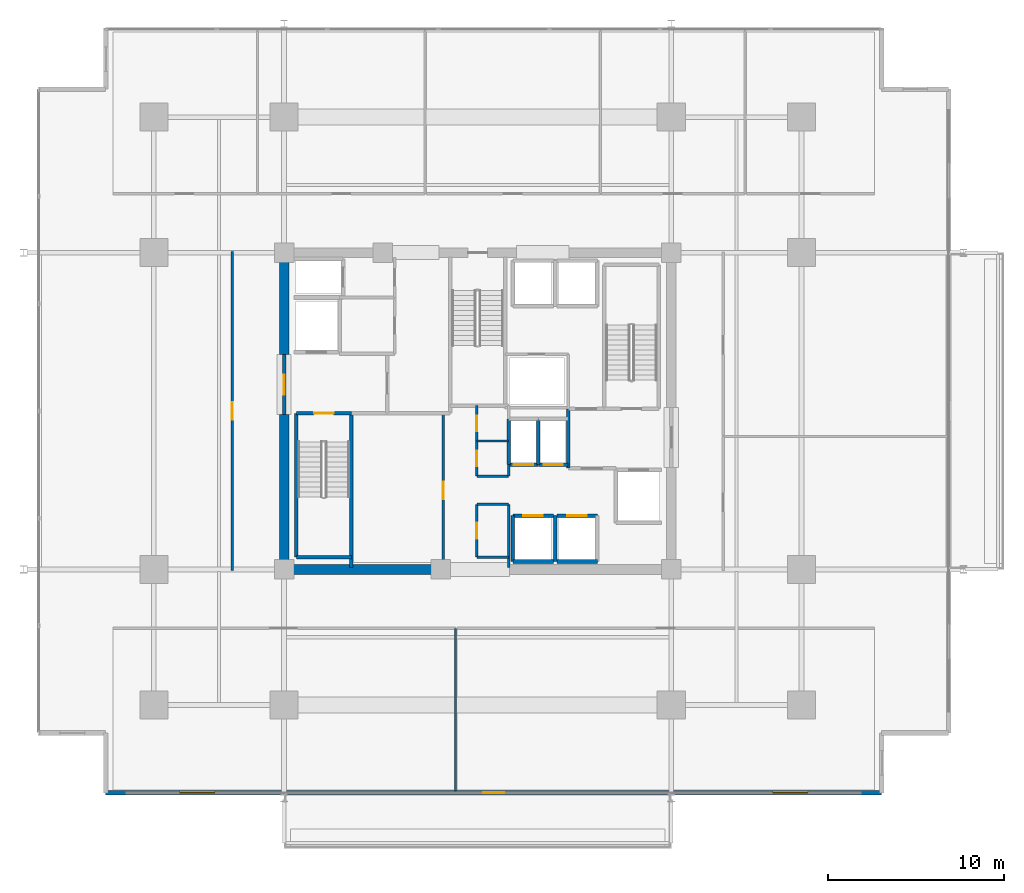
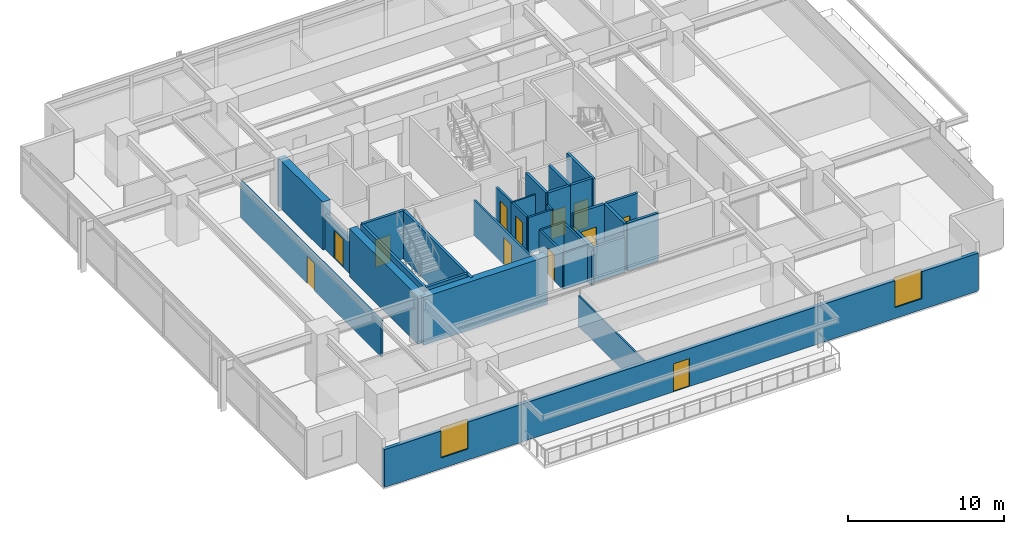
# One storey, part 13 of 21: 32 walls, 12 doors, 2 windows, 14 openings.
"""IFC4 building model written with IfcOpenShell, lengths in metres."""

import ifcopenshell
import ifcopenshell.guid

model = None  # the IFC model being written
_history = None  # IfcOwnerHistory: only IFC2X3 demands one
_inside = {}  # id of a spatial element -> (the spatial element, [elements in it])
_under = {}  # id of a project, library or spatial element -> (it, [spatial elements below it])
_declared = {}  # id of a project -> (the project, [libraries it declares])
_typed = {}  # id of a type object -> (the type object, [elements of that type])
_made_of = {}  # id of a material, layer set ... -> (it, [elements and type objects made of it])


def new_model(schema):
    """Start an empty IFC model of exactly this schema.

    Asked for "IFC4X3", IfcOpenShell would pick the latest addendum, in which some entities
    have other attributes; the version numbers below select the first issue.
    IFC2X3 requires an IfcOwnerHistory on every rooted entity: one is made here for all.
    """
    global model, _history
    if schema == "IFC4X3":
        model = ifcopenshell.file(schema_version=(4, 3, 0, 0))
    else:
        model = ifcopenshell.file(schema=schema)
    _inside.clear()
    _under.clear()
    _declared.clear()
    _typed.clear()
    _made_of.clear()
    _history = None
    if model.schema == "IFC2X3":
        org = make("IfcOrganization", Name="unknown")
        user = make(
            "IfcPersonAndOrganization",
            ThePerson=make("IfcPerson", FamilyName="unknown"),
            TheOrganization=org,
        )
        app = make(
            "IfcApplication",
            ApplicationDeveloper=org,
            Version="unknown",
            ApplicationFullName="unknown",
            ApplicationIdentifier="unknown",
        )
        _history = make(
            "IfcOwnerHistory",
            OwningUser=user,
            OwningApplication=app,
            ChangeAction="ADDED",
            CreationDate=0,
        )
    return model


def make(cls, **values):
    """One entity of the class cls with the attributes given. An attribute that is None is left unset."""
    return model.create_entity(
        cls, **{name: value for name, value in values.items() if value is not None}
    )


def rooted(cls, **values):
    """An entity with a GlobalId (a new one), such as an element, a storey or a relation."""
    return make(cls, GlobalId=ifcopenshell.guid.new(), OwnerHistory=_history, **values)


def si_unit(unit_type, name, prefix=None):
    """IfcSIUnit, for example si_unit("LENGTHUNIT", "METRE", prefix="MILLI")."""
    return make("IfcSIUnit", UnitType=unit_type, Prefix=prefix, Name=name)


def assignment(units):
    """IfcUnitAssignment: the units of a project."""
    return None if units is None else make("IfcUnitAssignment", Units=units)


def point(xyz):
    """IfcCartesianPoint."""
    return None if xyz is None else make("IfcCartesianPoint", Coordinates=xyz)


def direction(xyz):
    """IfcDirection."""
    return None if xyz is None else make("IfcDirection", DirectionRatios=xyz)


def frame(location, z_axis=None, x_axis=None):
    """IfcAxis2Placement3D, a coordinate frame: its origin and axes. An axis left out is left unset."""
    return make(
        "IfcAxis2Placement3D",
        Location=point(location),
        Axis=direction(z_axis),
        RefDirection=direction(x_axis),
    )


def frame_2d(location, x_axis=None):
    """IfcAxis2Placement2D, a coordinate frame in the plane: its origin and x axis."""
    return make(
        "IfcAxis2Placement2D", Location=point(location), RefDirection=direction(x_axis)
    )


def origin():
    """The frame at (0, 0, 0) with its axes left unset."""
    return frame((0.0, 0.0, 0.0))


def place(relative_to, where):
    """IfcLocalPlacement: puts the frame where relative to a parent placement (None: the world)."""
    return make(
        "IfcLocalPlacement", PlacementRelTo=relative_to, RelativePlacement=where
    )


def context(
    kind, dimensions, precision=None, world=None, true_north=None, identifier=None
):
    """IfcGeometricRepresentationContext, for example the 3D "Model" context."""
    return make(
        "IfcGeometricRepresentationContext",
        ContextIdentifier=identifier,
        ContextType=kind,
        CoordinateSpaceDimension=dimensions,
        Precision=precision,
        WorldCoordinateSystem=world,
        TrueNorth=true_north,
    )


def subcontext(parent, identifier, kind, view, scale=None):
    """IfcGeometricRepresentationSubContext, for example "Body" below "Model"."""
    return make(
        "IfcGeometricRepresentationSubContext",
        ContextIdentifier=identifier,
        ContextType=kind,
        ParentContext=parent,
        TargetScale=scale,
        TargetView=view,
    )


def project(units=None, contexts=None):
    """IfcProject with its units and contexts."""
    return rooted(
        "IfcProject",
        Name="project",
        RepresentationContexts=contexts,
        UnitsInContext=assignment(units),
    )


def spatial(cls, under=None, at=None, **own):
    """A site, building, storey or space (cls), placed at a placement, below another one or the project."""
    s = rooted(cls, ObjectPlacement=at, **own)
    if under is not None:
        _under.setdefault(under.id(), (under, []))[1].append(s)
    return s


def profile(cls, at=None, kind="AREA", **sizes):
    """A parametric profile (cls). Its sizes go by their IFC names, for example OverallWidth=200.0."""
    return make(cls, ProfileType=kind, Position=at, **sizes)


def rectangle(**sizes):
    """IfcRectangleProfileDef."""
    return profile("IfcRectangleProfileDef", **sizes)


def extrude(swept, where, along, depth):
    """IfcExtrudedAreaSolid: the profile swept, set in the frame where, extruded along a direction by depth."""
    return make(
        "IfcExtrudedAreaSolid",
        SweptArea=swept,
        Position=where,
        ExtrudedDirection=direction(along),
        Depth=depth,
    )


def shape(context_of_items, identifier, shape_type, items):
    """IfcShapeRepresentation: the items that make up one representation, for example the "Body"."""
    return make(
        "IfcShapeRepresentation",
        ContextOfItems=context_of_items,
        RepresentationIdentifier=identifier,
        RepresentationType=shape_type,
        Items=items,
    )


def material(Name=None, Category=None):
    """IfcMaterial."""
    return make("IfcMaterial", Name=Name, Category=Category)


def layer(
    of_material, thickness, ventilated=None, Name=None, Category=None, Priority=None
):
    """IfcMaterialLayer: one layer of a wall or slab, of a material (None: an air gap)."""
    return make(
        "IfcMaterialLayer",
        Material=of_material,
        LayerThickness=thickness,
        IsVentilated=ventilated,
        Name=Name,
        Category=Category,
        Priority=Priority,
    )


def layer_set(layers, Name=None):
    """IfcMaterialLayerSet."""
    return make("IfcMaterialLayerSet", MaterialLayers=layers, LayerSetName=Name)


def made_of(thing, what):
    """Note that an element or type object is made of a material, layer set ...; save() writes the relation."""
    if what is not None:
        _made_of.setdefault(what.id(), (what, []))[1].append(thing)
    return thing


def type_object(cls, material=None, **own):
    """A type object (cls), such as IfcWallType, which elements share."""
    return made_of(rooted(cls, **own), material)


def element(
    cls,
    number,
    at=None,
    inside=None,
    cuts=None,
    type_object=None,
    material=None,
    context=None,
    identifier="Body",
    shape_type=None,
    held_by="IfcProductDefinitionShape",
    body=None,
    shapes=None,
    **own,
):
    """One element of the class cls, such as IfcWall. Its Tag is "e" and its number.

    at: its placement. inside: the storey or other place that contains it. cuts: it is an
    opening in that element (IfcRelVoidsElement). A single representation is given by context,
    identifier, shape_type and body (its items); several are given by shapes. held_by: the class
    of the entity that holds the representations. save() writes the other relations.
    """
    e = rooted(cls, Tag="e%d" % number, ObjectPlacement=at, **own)
    if body is not None:
        shapes = [shape(context, identifier, shape_type, body)]
    if shapes is not None:
        e.Representation = make(held_by, Representations=shapes)
    if inside is not None:
        _inside.setdefault(inside.id(), (inside, []))[1].append(e)
    if cuts is not None:
        rooted(
            "IfcRelVoidsElement", RelatingBuildingElement=cuts, RelatedOpeningElement=e
        )
    if type_object is not None:
        _typed.setdefault(type_object.id(), (type_object, []))[1].append(e)
    return made_of(e, material)


def fill(opening, filler):
    """IfcRelFillsElement: the door or window that sits in an opening."""
    return rooted(
        "IfcRelFillsElement",
        RelatingOpeningElement=opening,
        RelatedBuildingElement=filler,
    )


def aggregate(whole, parts):
    """IfcRelAggregates: a whole, such as a stair, and the parts it consists of."""
    return rooted("IfcRelAggregates", RelatingObject=whole, RelatedObjects=parts)


def save(model, path):
    """Write the relations noted so far, then the file.

    IfcRelAggregates (storeys below a building ...), IfcRelContainedInSpatialStructure (elements
    in a storey), IfcRelDefinesByType, IfcRelAssociatesMaterial and IfcRelDeclares: one each for
    every whole, place, type object, material and project.
    """
    for whole, parts in _under.values():
        aggregate(whole, parts)
    for where, things in _inside.values():
        rooted(
            "IfcRelContainedInSpatialStructure",
            RelatedElements=things,
            RelatingStructure=where,
        )
    for kind, things in _typed.values():
        rooted("IfcRelDefinesByType", RelatedObjects=things, RelatingType=kind)
    for what, things in _made_of.values():
        rooted("IfcRelAssociatesMaterial", RelatedObjects=things, RelatingMaterial=what)
    for by, libraries in _declared.values():
        rooted("IfcRelDeclares", RelatingContext=by, RelatedDefinitions=libraries)
    model.write(path)


model = new_model("IFC4")

# Units and contexts
model_context = context("Model", 3, precision=1e-05, world=origin(), true_north=direction((0.0, 1.0)))
body_context = subcontext(model_context, "Body", "Model", "MODEL_VIEW")
ifc_project = project(units=[si_unit("LENGTHUNIT", "METRE"), si_unit("AREAUNIT", "SQUARE_METRE"), si_unit("VOLUMEUNIT", "CUBIC_METRE"), si_unit("PLANEANGLEUNIT", "RADIAN"), si_unit("MASSUNIT", "GRAM", prefix="KILO")], contexts=[model_context])

# Site, building, storey
site_placement = place(None, origin())
site = spatial("IfcSite", under=ifc_project, at=site_placement, CompositionType="ELEMENT")
building_placement = place(site_placement, origin())
building = spatial("IfcBuilding", under=site, at=building_placement, Name="Kovane Verandah Tower", CompositionType="ELEMENT")
storey_placement = place(building_placement, frame((0.0, 0.0, 176.39990234375)))
storey = spatial("IfcBuildingStorey", under=building, at=storey_placement, Name="L41", CompositionType="ELEMENT", Elevation=176.39990234375)

# Walls
ifc_material_1 = material(Name="Fire-Rated Gypsum Stud Partition", Category="gypsum")
ifc_layer_1 = layer(ifc_material_1, 0.14990234375)
ifc_layer_set_1 = layer_set([ifc_layer_1], Name="Fire-Rated Gypsum Stud Partition")
wall_type_1 = type_object("IfcWallType", Name="WL-COR-150", PredefinedType="PARTITIONING", material=ifc_layer_set_1)
for number, where, z_axis, x_axis, name in (
    (1, (39.949951171875, 19.199951171875, 0.0), (0.0, 0.0, 1.0), (1.0, 0.0, 0.0), "L41 Central Core Strip South Wall"),
    (2, (39.949951171875, 22.199951171875, 0.0), (0.0, 0.0, 1.0), (1.0, 0.0, 0.0), "L41 Core Cross-Passage South Wall"),
    (3, (39.949951171875, 23.800048828125, 0.0), (0.0, 0.0, 1.0), (1.0, 0.0, 0.0), "L41 Core Cross-Passage North Wall"),
):
    element("IfcWall", number, at=place(storey_placement, frame(where, z_axis=z_axis, x_axis=x_axis)), inside=storey, type_object=wall_type_1, Name=name, PredefinedType="PARTITIONING", context=body_context, shape_type="SweptSolid", body=[
        extrude(rectangle(XDim=1.81005859375, YDim=0.14990234375, at=frame_2d((0.905029296875, 0.0))), origin(), (0.0, 0.0, 1.0), 2.85009765625),
    ])
wall_1_placement = place(storey_placement, frame((41.760009765625, 18.60009765625, 0.0), z_axis=(0.0, 0.0, 1.0), x_axis=(0.0, 1.0, 0.0)))
element("IfcWall", 4, at=wall_1_placement, inside=storey, type_object=wall_type_1, Name="L41 Central Core Strip Lower East Wall", PredefinedType="PARTITIONING", context=body_context, shape_type="SweptSolid", body=[
    extrude(rectangle(XDim=3.599853515625, YDim=0.14990234375, at=frame_2d((1.7998046875, 0.0))), origin(), (0.0, 0.0, 1.0), 2.755126953125),
])
wall_2_placement = place(storey_placement, frame((41.760009765625, 23.800048828125, 0.0), z_axis=(0.0, 0.0, 1.0), x_axis=(0.0, 1.0, 0.0)))
element("IfcWall", 5, at=wall_2_placement, inside=storey, type_object=wall_type_1, Name="L41 Central Core Strip Middle East Wall", PredefinedType="PARTITIONING", context=body_context, shape_type="SweptSolid", body=[
    extrude(rectangle(XDim=0.64990234375, YDim=0.14990234375, at=frame_2d((0.324951171875, 0.0))), origin(), (0.0, 0.0, 1.0), 2.85009765625),
])

# Wall, opening, door
wall_3_placement = place(storey_placement, frame((39.949951171875, 19.199951171875, 0.0), z_axis=(0.0, 0.0, 1.0), x_axis=(0.0, 1.0, 0.0)))
wall_3 = element("IfcWall", 6, at=wall_3_placement, inside=storey, type_object=wall_type_1, Name="L41 Male Toilet Partition", PredefinedType="PARTITIONING", context=body_context, shape_type="SweptSolid", body=[
    extrude(rectangle(XDim=3.0, YDim=0.14990234375, at=frame_2d((1.5, 0.0))), origin(), (0.0, 0.0, 1.0), 2.85009765625),
])
opening_1_placement = place(wall_3_placement, frame((1.050048828125, 0.0, 0.0)))
opening_1 = element("IfcOpeningElement", 7, at=opening_1_placement, cuts=wall_3, Name="Opening DR-L41-026", PredefinedType="OPENING", context=body_context, shape_type="SweptSolid", body=[
    extrude(rectangle(XDim=0.89990234375, YDim=2.10009765625, at=frame_2d((0.449951171875, 1.050048828125))), frame((0.0, 0.074951171875, 0.0), z_axis=(0.0, -1.0, 0.0), x_axis=(1.0, 0.0, 0.0)), (0.0, 0.0, 1.0), 0.14990234375),
])
ifc_material_2 = material(Name="Moisture-Resistant Laminate Washroom Door", Category="wood")
door_type_1 = type_object("IfcDoorType", Name="DR-WC-900", OperationType="SINGLE_SWING_LEFT", PredefinedType="DOOR", material=ifc_material_2)
door_1_placement = place(opening_1_placement, origin())
door_1 = element("IfcDoor", 8, at=door_1_placement, inside=storey, type_object=door_type_1, Name="L41 Male Toilet Door", OperationType="SINGLE_SWING_RIGHT", OverallHeight=2.10009765625, OverallWidth=0.89990234375, PredefinedType="DOOR", context=body_context, shape_type="SweptSolid", body=[
    extrude(rectangle(XDim=0.89990234375, YDim=2.10009765625, at=frame_2d((0.449951171875, 1.050048828125))), frame((0.0, 0.02490234375, 0.0), z_axis=(0.0, -1.0, 0.0), x_axis=(1.0, 0.0, 0.0)), (0.0, 0.0, 1.0), 0.050048828125),
])
fill(opening_1, door_1)

wall_4_placement = place(storey_placement, frame((39.949951171875, 23.800048828125, 0.0), z_axis=(0.0, 0.0, 1.0), x_axis=(0.0, 1.0, 0.0)))
wall_4 = element("IfcWall", 9, at=wall_4_placement, inside=storey, type_object=wall_type_1, Name="L41 Female Toilet Partition", PredefinedType="PARTITIONING", context=body_context, shape_type="SweptSolid", body=[
    extrude(rectangle(XDim=2.0, YDim=0.14990234375, at=frame_2d((1.0, 0.0))), origin(), (0.0, 0.0, 1.0), 2.85009765625),
])
opening_2_placement = place(wall_4_placement, frame((0.550048828125, 0.0, 0.0)))
opening_2 = element("IfcOpeningElement", 10, at=opening_2_placement, cuts=wall_4, Name="Opening DR-L41-025", PredefinedType="OPENING", context=body_context, shape_type="SweptSolid", body=[
    extrude(rectangle(XDim=0.89990234375, YDim=2.10009765625, at=frame_2d((0.449951171875, 1.050048828125))), frame((0.0, 0.074951171875, 0.0), z_axis=(0.0, -1.0, 0.0), x_axis=(1.0, 0.0, 0.0)), (0.0, 0.0, 1.0), 0.14990234375),
])
door_2_placement = place(opening_2_placement, origin())
door_2 = element("IfcDoor", 11, at=door_2_placement, inside=storey, type_object=door_type_1, Name="L41 Female Toilet Door", OperationType="SINGLE_SWING_LEFT", OverallHeight=2.10009765625, OverallWidth=0.89990234375, PredefinedType="DOOR", context=body_context, shape_type="SweptSolid", body=[
    extrude(rectangle(XDim=0.89990234375, YDim=2.10009765625, at=frame_2d((0.449951171875, 1.050048828125))), frame((0.0, 0.02490234375, 0.0), z_axis=(0.0, -1.0, 0.0), x_axis=(1.0, 0.0, 0.0)), (0.0, 0.0, 1.0), 0.050048828125),
])
fill(opening_2, door_2)

wall_5_placement = place(storey_placement, frame((39.949951171875, 25.800048828125, 0.0), z_axis=(0.0, 0.0, 1.0), x_axis=(0.0, 1.0, 0.0)))
wall_5 = element("IfcWall", 12, at=wall_5_placement, inside=storey, type_object=wall_type_1, Name="L41 Telecom and BMS Riser Room Partition", PredefinedType="PARTITIONING", context=body_context, shape_type="SweptSolid", body=[
    extrude(rectangle(XDim=2.0, YDim=0.14990234375, at=frame_2d((1.0, 0.0))), origin(), (0.0, 0.0, 1.0), 2.85009765625),
])
opening_3_placement = place(wall_5_placement, frame((0.56005859375, 0.0, 0.0)))
opening_3 = element("IfcOpeningElement", 13, at=opening_3_placement, cuts=wall_5, Name="Opening DR-L41-023", PredefinedType="OPENING", context=body_context, shape_type="SweptSolid", body=[
    extrude(rectangle(XDim=0.8798828125, YDim=2.10009765625, at=frame_2d((0.43994140625, 1.050048828125))), frame((0.0, 0.074951171875, 0.0), z_axis=(0.0, -1.0, 0.0), x_axis=(1.0, 0.0, 0.0)), (0.0, 0.0, 1.0), 0.14990234375),
])
ifc_material_3 = material(Name="Fire-Rated Steel Riser Access Door", Category="steel")
door_type_2 = type_object("IfcDoorType", Name="DR-RISER-880", OperationType="SINGLE_SWING_LEFT", PredefinedType="DOOR", material=ifc_material_3)
door_3_placement = place(opening_3_placement, origin())
door_3 = element("IfcDoor", 14, at=door_3_placement, inside=storey, type_object=door_type_2, Name="L41 Telecom and BMS Riser Room Door", OperationType="SINGLE_SWING_RIGHT", OverallHeight=2.10009765625, OverallWidth=0.8798828125, PredefinedType="DOOR", context=body_context, shape_type="SweptSolid", body=[
    extrude(rectangle(XDim=0.8798828125, YDim=2.10009765625, at=frame_2d((0.43994140625, 1.050048828125))), frame((0.0, 0.02490234375, 0.0), z_axis=(0.0, -1.0, 0.0), x_axis=(1.0, 0.0, 0.0)), (0.0, 0.0, 1.0), 0.050048828125),
])
fill(opening_3, door_3)

wall_6_placement = place(storey_placement, frame((38.050048828125, 18.60009765625, 0.0), z_axis=(0.0, 0.0, 1.0), x_axis=(0.0, 1.0, 0.0)))
wall_6 = element("IfcWall", 15, at=wall_6_placement, inside=storey, type_object=wall_type_1, Name="L41 Tenant Wellness and Archive Suite Partition", PredefinedType="PARTITIONING", context=body_context, shape_type="SweptSolid", body=[
    extrude(rectangle(XDim=8.77978515625, YDim=0.14990234375, at=frame_2d((4.389892578125, 0.0))), origin(), (0.0, 0.0, 1.0), 2.755126953125),
])
opening_4_placement = place(wall_6_placement, frame((3.889892578125, 0.0, 0.0)))
opening_4 = element("IfcOpeningElement", 16, at=opening_4_placement, cuts=wall_6, Name="Opening DR-L41-014", PredefinedType="OPENING", context=body_context, shape_type="SweptSolid", body=[
    extrude(rectangle(XDim=1.0, YDim=2.14990234375, at=frame_2d((0.5, 1.074951171875))), frame((0.0, 0.074951171875, 0.0), z_axis=(0.0, -1.0, 0.0), x_axis=(1.0, 0.0, 0.0)), (0.0, 0.0, 1.0), 0.14990234375),
])
ifc_material_4 = material(Name="FSC Spotted-Gum Timber Fire-Rated Office Door", Category="wood")
door_type_3 = type_object("IfcDoorType", Name="DR-OFF-1000", OperationType="SINGLE_SWING_LEFT", PredefinedType="DOOR", material=ifc_material_4)
door_4_placement = place(opening_4_placement, origin())
door_4 = element("IfcDoor", 17, at=door_4_placement, inside=storey, type_object=door_type_3, Name="L41 Tenant Wellness and Archive Suite Door", OperationType="SINGLE_SWING_LEFT", OverallHeight=2.14990234375, OverallWidth=1.0, PredefinedType="DOOR", context=body_context, shape_type="SweptSolid", body=[
    extrude(rectangle(XDim=1.0, YDim=2.14990234375, at=frame_2d((0.5, 1.074951171875))), frame((0.0, 0.02490234375, 0.0), z_axis=(0.0, -1.0, 0.0), x_axis=(1.0, 0.0, 0.0)), (0.0, 0.0, 1.0), 0.050048828125),
])
fill(opening_4, door_4)

wall_7_placement = place(storey_placement, frame((26.050048828125, 18.449951171875, 0.0), z_axis=(0.0, 0.0, 1.0), x_axis=(0.0, 1.0, 0.0)))
wall_7 = element("IfcWall", 18, at=wall_7_placement, inside=storey, type_object=wall_type_1, Name="L41 Focus Studio W1 Corridor Partition", PredefinedType="PARTITIONING", context=body_context, shape_type="SweptSolid", body=[
    extrude(rectangle(XDim=18.10009765625, YDim=0.14990234375, at=frame_2d((9.050048828125, 0.0))), origin(), (0.0, 0.0, 1.0), 2.85009765625),
])
opening_5_placement = place(wall_7_placement, frame((8.550048828125, 0.0, 0.0)))
opening_5 = element("IfcOpeningElement", 19, at=opening_5_placement, cuts=wall_7, Name="Opening DR-L41-027", PredefinedType="OPENING", context=body_context, shape_type="SweptSolid", body=[
    extrude(rectangle(XDim=1.0, YDim=2.14990234375, at=frame_2d((0.5, 1.074951171875))), frame((0.0, 0.074951171875, 0.0), z_axis=(0.0, -1.0, 0.0), x_axis=(1.0, 0.0, 0.0)), (0.0, 0.0, 1.0), 0.14990234375),
])
door_5_placement = place(opening_5_placement, origin())
door_5 = element("IfcDoor", 20, at=door_5_placement, inside=storey, type_object=door_type_3, Name="L41 Focus Studio W1 Entrance Door", OperationType="SINGLE_SWING_RIGHT", OverallHeight=2.14990234375, OverallWidth=1.0, PredefinedType="DOOR", context=body_context, shape_type="SweptSolid", body=[
    extrude(rectangle(XDim=1.0, YDim=2.14990234375, at=frame_2d((0.5, 1.074951171875))), frame((0.0, 0.02490234375, 0.0), z_axis=(0.0, -1.0, 0.0), x_axis=(1.0, 0.0, 0.0)), (0.0, 0.0, 1.0), 0.050048828125),
])
fill(opening_5, door_5)

# Walls
ifc_material_5 = material(Name="Concrete C60/75", Category="concrete")
ifc_layer_2 = layer(ifc_material_5, 0.550048828125)
ifc_layer_set_2 = layer_set([ifc_layer_2], Name="Concrete C60/75")
wall_type_2 = type_object("IfcWallType", Name="WL-CORE-550", PredefinedType="SHEAR", material=ifc_layer_set_2)
wall_8_placement = place(storey_placement, frame((29.0, 18.5, 0.0), z_axis=(0.0, 0.0, 1.0), x_axis=(1.0, 0.0, 0.0)))
element("IfcWall", 21, at=wall_8_placement, inside=storey, type_object=wall_type_2, Name="L41 Core Shear Wall CS-1", PredefinedType="SHEAR", context=body_context, shape_type="SweptSolid", body=[
    extrude(rectangle(XDim=9.199951171875, YDim=0.550048828125, at=frame_2d((4.60009765625, 0.0))), origin(), (0.0, 0.0, 1.0), 3.775146484375),
])
wall_9_placement = place(storey_placement, frame((29.0, 18.5, 0.0), z_axis=(0.0, 0.0, 1.0), x_axis=(0.0, 1.0, 0.0)))
element("IfcWall", 22, at=wall_9_placement, inside=storey, type_object=wall_type_2, Name="L41 Core Shear Wall CW-1", PredefinedType="SHEAR", context=body_context, shape_type="SweptSolid", body=[
    extrude(rectangle(XDim=8.800048828125, YDim=0.550048828125, at=frame_2d((4.39990234375, 0.0))), origin(), (0.0, 0.0, 1.0), 3.775146484375),
])
wall_10_placement = place(storey_placement, frame((29.0, 30.699951171875, 0.0), z_axis=(0.0, 0.0, 1.0), x_axis=(0.0, 1.0, 0.0)))
element("IfcWall", 23, at=wall_10_placement, inside=storey, type_object=wall_type_2, Name="L41 Core Shear Wall CW-2", PredefinedType="SHEAR", context=body_context, shape_type="SweptSolid", body=[
    extrude(rectangle(XDim=5.800048828125, YDim=0.550048828125, at=frame_2d((2.89990234375, 0.0))), origin(), (0.0, 0.0, 1.0), 3.775146484375),
])

# Wall, opening, door
ifc_material_6 = material(Name="Concrete C45/55 Fire Wall", Category="concrete")
ifc_layer_3 = layer(ifc_material_6, 0.199951171875)
ifc_layer_set_3 = layer_set([ifc_layer_3], Name="Concrete C45/55 Fire Wall")
wall_type_3 = type_object("IfcWallType", Name="WL-FFL-200", PredefinedType="PARTITIONING", material=ifc_layer_set_3)
wall_11_placement = place(storey_placement, frame((29.0, 27.300048828125, 0.0), z_axis=(0.0, 0.0, 1.0), x_axis=(0.0, 1.0, 0.0)))
wall_11 = element("IfcWall", 24, at=wall_11_placement, inside=storey, type_object=wall_type_3, Name="W-L41-FFLW-OUT", PredefinedType="PARTITIONING", context=body_context, shape_type="SweptSolid", body=[
    extrude(rectangle(XDim=3.39990234375, YDim=0.199951171875, at=frame_2d((1.699951171875, 0.0))), origin(), (0.0, 0.0, 1.0), 2.755126953125),
])
opening_6_placement = place(wall_11_placement, frame((1.125, 0.0, 0.0)))
opening_6 = element("IfcOpeningElement", 25, at=opening_6_placement, cuts=wall_11, Name="Opening DR-L41-007", PredefinedType="OPENING", context=body_context, shape_type="SweptSolid", body=[
    extrude(rectangle(XDim=1.14990234375, YDim=2.199951171875, at=frame_2d((0.574951171875, 1.10009765625))), frame((0.0, 0.10009765625, 0.0), z_axis=(0.0, -1.0, 0.0), x_axis=(1.0, 0.0, 0.0)), (0.0, 0.0, 1.0), 0.199951171875),
])
ifc_material_7 = material(Name="Smoke-Sealed Firefighting Lobby Door", Category="steel")
door_type_4 = type_object("IfcDoorType", Name="DR-FFL-1150", OperationType="SINGLE_SWING_LEFT", PredefinedType="DOOR", material=ifc_material_7)
door_6_placement = place(opening_6_placement, origin())
door_6 = element("IfcDoor", 26, at=door_6_placement, inside=storey, type_object=door_type_4, Name="L41 West Firefighting Lobby Corridor Door", OperationType="SINGLE_SWING_RIGHT", OverallHeight=2.199951171875, OverallWidth=1.14990234375, PredefinedType="DOOR", context=body_context, shape_type="SweptSolid", body=[
    extrude(rectangle(XDim=1.14990234375, YDim=2.199951171875, at=frame_2d((0.574951171875, 1.10009765625))), frame((0.0, 0.02490234375, 0.0), z_axis=(0.0, -1.0, 0.0), x_axis=(1.0, 0.0, 0.0)), (0.0, 0.0, 1.0), 0.050048828125),
])
fill(opening_6, door_6)

# Walls
wall_12_placement = place(storey_placement, frame((45.14990234375, 24.25, 0.0), z_axis=(0.0, 0.0, 1.0), x_axis=(0.0, 1.0, 0.0)))
element("IfcWall", 27, at=wall_12_placement, inside=storey, type_object=wall_type_3, Name="L41 East Firefighting Lobby West Fire Wall", PredefinedType="PARTITIONING", context=body_context, shape_type="SweptSolid", body=[
    extrude(rectangle(XDim=3.3701171875, YDim=0.199951171875, at=frame_2d((1.68505859375, 0.0))), origin(), (0.0, 0.0, 1.0), 3.775146484375),
])
ifc_material_8 = material(Name="Concrete C45/55 Lift Shaft Wall", Category="concrete")
ifc_layer_4 = layer(ifc_material_8, 0.199951171875)
ifc_layer_set_4 = layer_set([ifc_layer_4], Name="Concrete C45/55 Lift Shaft Wall")
wall_type_4 = type_object("IfcWallType", Name="WL-LIFT-200", PredefinedType="SOLIDWALL", material=ifc_layer_set_4)
wall_13_placement = place(storey_placement, frame((42.0, 18.949951171875, 0.0), z_axis=(0.0, 0.0, 1.0), x_axis=(1.0, 0.0, 0.0)))
element("IfcWall", 28, at=wall_13_placement, inside=storey, type_object=wall_type_4, Name="L41 Lift PL-M1 S Shaft Wall", PredefinedType="SOLIDWALL", context=body_context, shape_type="SweptSolid", body=[
    extrude(rectangle(XDim=2.300048828125, YDim=0.199951171875, at=frame_2d((1.14990234375, 0.0))), origin(), (0.0, 0.0, 1.0), 2.755126953125),
])

# Wall, opening, door
wall_14_placement = place(storey_placement, frame((44.300048828125, 21.550048828125, 0.0), z_axis=(0.0, 0.0, 1.0), x_axis=(-1.0, 0.0, 0.0)))
wall_14 = element("IfcWall", 29, at=wall_14_placement, inside=storey, type_object=wall_type_4, Name="L41 Lift PL-M1 N Shaft Wall", PredefinedType="SOLIDWALL", context=body_context, shape_type="SweptSolid", body=[
    extrude(rectangle(XDim=2.300048828125, YDim=0.199951171875, at=frame_2d((1.14990234375, 0.0))), origin(), (0.0, 0.0, 1.0), 3.775146484375),
])
opening_7_placement = place(wall_14_placement, frame((0.60009765625, 0.0, 0.0)))
opening_7 = element("IfcOpeningElement", 30, at=opening_7_placement, cuts=wall_14, Name="Opening LD-L41-004", PredefinedType="OPENING", context=body_context, shape_type="SweptSolid", body=[
    extrude(rectangle(XDim=1.10009765625, YDim=2.199951171875, at=frame_2d((0.550048828125, 1.10009765625))), frame((0.0, 0.10009765625, 0.0), z_axis=(0.0, -1.0, 0.0), x_axis=(1.0, 0.0, 0.0)), (0.0, 0.0, 1.0), 0.199951171875),
])
ifc_material_9 = material(Name="Brushed Stainless Steel Sliding Lift Landing Door", Category="steel")
door_type_5 = type_object("IfcDoorType", Name="DR-LIFT-1100", OperationType="SLIDING_TO_RIGHT", PredefinedType="DOOR", material=ifc_material_9)
door_7_placement = place(opening_7_placement, origin())
door_7 = element("IfcDoor", 31, at=door_7_placement, inside=storey, type_object=door_type_5, Name="L41 Lift PL-M1 Sliding Landing Door", OperationType="SLIDING_TO_RIGHT", OverallHeight=2.199951171875, OverallWidth=1.10009765625, PredefinedType="DOOR", context=body_context, shape_type="SweptSolid", body=[
    extrude(rectangle(XDim=1.10009765625, YDim=2.199951171875, at=frame_2d((0.550048828125, 1.10009765625))), frame((0.0, 0.02490234375, 0.0), z_axis=(0.0, -1.0, 0.0), x_axis=(1.0, 0.0, 0.0)), (0.0, 0.0, 1.0), 0.050048828125),
])
fill(opening_7, door_7)

# Walls
wall_15_placement = place(storey_placement, frame((42.0, 21.550048828125, 0.0), z_axis=(0.0, 0.0, 1.0), x_axis=(0.0, -1.0, 0.0)))
element("IfcWall", 32, at=wall_15_placement, inside=storey, type_object=wall_type_4, Name="L41 Lift PL-M1 W Shaft Wall", PredefinedType="SOLIDWALL", context=body_context, shape_type="SweptSolid", body=[
    extrude(rectangle(XDim=2.60009765625, YDim=0.199951171875, at=frame_2d((1.300048828125, 0.0))), origin(), (0.0, 0.0, 1.0), 2.755126953125),
])
wall_16_placement = place(storey_placement, frame((44.39990234375, 18.949951171875, 0.0), z_axis=(0.0, 0.0, 1.0), x_axis=(0.0, 1.0, 0.0)))
element("IfcWall", 33, at=wall_16_placement, inside=storey, type_object=wall_type_4, Name="L41 Lift PL-M1 and PL-M2 Shared Shaft Wall", PredefinedType="SOLIDWALL", context=body_context, shape_type="SweptSolid", body=[
    extrude(rectangle(XDim=2.60009765625, YDim=0.199951171875, at=frame_2d((1.300048828125, 0.0))), origin(), (0.0, 0.0, 1.0), 3.775146484375),
])
wall_17_placement = place(storey_placement, frame((44.5, 18.949951171875, 0.0), z_axis=(0.0, 0.0, 1.0), x_axis=(1.0, 0.0, 0.0)))
element("IfcWall", 34, at=wall_17_placement, inside=storey, type_object=wall_type_4, Name="L41 Lift PL-M2 S Shaft Wall", PredefinedType="SOLIDWALL", context=body_context, shape_type="SweptSolid", body=[
    extrude(rectangle(XDim=2.300048828125, YDim=0.199951171875, at=frame_2d((1.14990234375, 0.0))), origin(), (0.0, 0.0, 1.0), 3.775146484375),
])

# Wall, opening, door
wall_18_placement = place(storey_placement, frame((46.800048828125, 21.550048828125, 0.0), z_axis=(0.0, 0.0, 1.0), x_axis=(-1.0, 0.0, 0.0)))
wall_18 = element("IfcWall", 35, at=wall_18_placement, inside=storey, type_object=wall_type_4, Name="L41 Lift PL-M2 N Shaft Wall", PredefinedType="SOLIDWALL", context=body_context, shape_type="SweptSolid", body=[
    extrude(rectangle(XDim=2.300048828125, YDim=0.199951171875, at=frame_2d((1.14990234375, 0.0))), origin(), (0.0, 0.0, 1.0), 3.775146484375),
])
opening_8_placement = place(wall_18_placement, frame((0.60009765625, 0.0, 0.0)))
opening_8 = element("IfcOpeningElement", 36, at=opening_8_placement, cuts=wall_18, Name="Opening LD-L41-005", PredefinedType="OPENING", context=body_context, shape_type="SweptSolid", body=[
    extrude(rectangle(XDim=1.10009765625, YDim=2.199951171875, at=frame_2d((0.550048828125, 1.10009765625))), frame((0.0, 0.10009765625, 0.0), z_axis=(0.0, -1.0, 0.0), x_axis=(1.0, 0.0, 0.0)), (0.0, 0.0, 1.0), 0.199951171875),
])
door_8_placement = place(opening_8_placement, origin())
door_8 = element("IfcDoor", 37, at=door_8_placement, inside=storey, type_object=door_type_5, Name="L41 Lift PL-M2 Sliding Landing Door", OperationType="SLIDING_TO_RIGHT", OverallHeight=2.199951171875, OverallWidth=1.10009765625, PredefinedType="DOOR", context=body_context, shape_type="SweptSolid", body=[
    extrude(rectangle(XDim=1.10009765625, YDim=2.199951171875, at=frame_2d((0.550048828125, 1.10009765625))), frame((0.0, 0.02490234375, 0.0), z_axis=(0.0, -1.0, 0.0), x_axis=(1.0, 0.0, 0.0)), (0.0, 0.0, 1.0), 0.050048828125),
])
fill(opening_8, door_8)

wall_19_placement = place(storey_placement, frame((41.760009765625, 24.449951171875, 0.0), z_axis=(0.0, 0.0, 1.0), x_axis=(1.0, 0.0, 0.0)))
wall_19 = element("IfcWall", 38, at=wall_19_placement, inside=storey, type_object=wall_type_4, Name="L41 Lift PL-M3 S Shaft Wall", PredefinedType="SOLIDWALL", context=body_context, shape_type="SweptSolid", body=[
    extrude(rectangle(XDim=1.679931640625, YDim=0.199951171875, at=frame_2d((0.83984375, 0.0))), origin(), (0.0, 0.0, 1.0), 3.775146484375),
])
opening_9_placement = place(wall_19_placement, frame((0.2900390625, 0.0, 0.0)))
opening_9 = element("IfcOpeningElement", 39, at=opening_9_placement, cuts=wall_19, Name="Opening LD-L41-006", PredefinedType="OPENING", context=body_context, shape_type="SweptSolid", body=[
    extrude(rectangle(XDim=1.10009765625, YDim=2.199951171875, at=frame_2d((0.550048828125, 1.10009765625))), frame((0.0, 0.10009765625, 0.0), z_axis=(0.0, -1.0, 0.0), x_axis=(1.0, 0.0, 0.0)), (0.0, 0.0, 1.0), 0.199951171875),
])
door_9_placement = place(opening_9_placement, origin())
door_9 = element("IfcDoor", 40, at=door_9_placement, inside=storey, type_object=door_type_5, Name="L41 Lift PL-M3 Sliding Landing Door", OperationType="SLIDING_TO_RIGHT", OverallHeight=2.199951171875, OverallWidth=1.10009765625, PredefinedType="DOOR", context=body_context, shape_type="SweptSolid", body=[
    extrude(rectangle(XDim=1.10009765625, YDim=2.199951171875, at=frame_2d((0.550048828125, 1.10009765625))), frame((0.0, 0.02490234375, 0.0), z_axis=(0.0, -1.0, 0.0), x_axis=(1.0, 0.0, 0.0)), (0.0, 0.0, 1.0), 0.050048828125),
])
fill(opening_9, door_9)

# Walls
for number, where, z_axis, x_axis, name in (
    (41, (41.760009765625, 27.050048828125, 0.0), (0.0, 0.0, 1.0), (0.0, -1.0, 0.0), "L41 Lift PL-M3 W Shaft Wall"),
    (42, (43.449951171875, 24.449951171875, 0.0), (0.0, 0.0, 1.0), (0.0, 1.0, 0.0), "L41 Lift PL-M3 and PL-M4 Shared Shaft Wall"),
):
    element("IfcWall", number, at=place(storey_placement, frame(where, z_axis=z_axis, x_axis=x_axis)), inside=storey, type_object=wall_type_4, Name=name, PredefinedType="SOLIDWALL", context=body_context, shape_type="SweptSolid", body=[
        extrude(rectangle(XDim=2.60009765625, YDim=0.199951171875, at=frame_2d((1.300048828125, 0.0))), origin(), (0.0, 0.0, 1.0), 3.775146484375),
    ])

# Wall, opening, door
wall_20_placement = place(storey_placement, frame((43.4599609375, 24.449951171875, 0.0), z_axis=(0.0, 0.0, 1.0), x_axis=(1.0, 0.0, 0.0)))
wall_20 = element("IfcWall", 43, at=wall_20_placement, inside=storey, type_object=wall_type_4, Name="L41 Lift PL-M4 S Shaft Wall", PredefinedType="SOLIDWALL", context=body_context, shape_type="SweptSolid", body=[
    extrude(rectangle(XDim=1.66015625, YDim=0.199951171875, at=frame_2d((0.830078125, 0.0))), origin(), (0.0, 0.0, 1.0), 3.775146484375),
])
opening_10_placement = place(wall_20_placement, frame((0.280029296875, 0.0, 0.0)))
opening_10 = element("IfcOpeningElement", 44, at=opening_10_placement, cuts=wall_20, Name="Opening LD-L41-007", PredefinedType="OPENING", context=body_context, shape_type="SweptSolid", body=[
    extrude(rectangle(XDim=1.10009765625, YDim=2.199951171875, at=frame_2d((0.550048828125, 1.10009765625))), frame((0.0, 0.10009765625, 0.0), z_axis=(0.0, -1.0, 0.0), x_axis=(1.0, 0.0, 0.0)), (0.0, 0.0, 1.0), 0.199951171875),
])
door_10_placement = place(opening_10_placement, origin())
door_10 = element("IfcDoor", 45, at=door_10_placement, inside=storey, type_object=door_type_5, Name="L41 Lift PL-M4 Sliding Landing Door", OperationType="SLIDING_TO_RIGHT", OverallHeight=2.199951171875, OverallWidth=1.10009765625, PredefinedType="DOOR", context=body_context, shape_type="SweptSolid", body=[
    extrude(rectangle(XDim=1.10009765625, YDim=2.199951171875, at=frame_2d((0.550048828125, 1.10009765625))), frame((0.0, 0.02490234375, 0.0), z_axis=(0.0, -1.0, 0.0), x_axis=(1.0, 0.0, 0.0)), (0.0, 0.0, 1.0), 0.050048828125),
])
fill(opening_10, door_10)

# Walls
ifc_material_10 = material(Name="Acoustic Fire-Rated Gypsum Partition", Category="gypsum")
ifc_layer_5 = layer(ifc_material_10, 0.1201171875)
ifc_layer_set_5 = layer_set([ifc_layer_5], Name="Acoustic Fire-Rated Gypsum Partition")
wall_type_5 = type_object("IfcWallType", Name="WL-PART-120", PredefinedType="PARTITIONING", material=ifc_layer_set_5)
wall_21_placement = place(storey_placement, frame((39.949951171875, 25.800048828125, 0.0), z_axis=(0.0, 0.0, 1.0), x_axis=(1.0, 0.0, 0.0)))
element("IfcWall", 46, at=wall_21_placement, inside=storey, type_object=wall_type_5, Name="L41 Central Core Strip Upper Dividing Partition", PredefinedType="PARTITIONING", context=body_context, shape_type="SweptSolid", body=[
    extrude(rectangle(XDim=1.81005859375, YDim=0.1201171875, at=frame_2d((0.905029296875, 0.0))), origin(), (0.0, 0.0, 1.0), 2.85009765625),
])
wall_22_placement = place(storey_placement, frame((38.745361328125, 5.905029296875, 0.0), z_axis=(0.0, 0.0, 1.0), x_axis=(0.0, 1.0, 0.0)))
element("IfcWall", 47, at=wall_22_placement, inside=storey, type_object=wall_type_5, Name="L41 Client Boardroom S1 Dividing Partition", PredefinedType="PARTITIONING", context=body_context, shape_type="SweptSolid", body=[
    extrude(rectangle(XDim=9.244873046875, YDim=0.1201171875, at=frame_2d((4.62255859375, 0.0))), origin(), (0.0, 0.0, 1.0), 2.405029296875),
])
ifc_material_11 = material(Name="Concrete C45/55", Category="concrete")
ifc_layer_6 = layer(ifc_material_11, 0.199951171875)
ifc_layer_set_6 = layer_set([ifc_layer_6], Name="Concrete C45/55")
wall_type_6 = type_object("IfcWallType", Name="WL-SHAFT-200", PredefinedType="SOLIDWALL", material=ifc_layer_set_6)
wall_23_placement = place(storey_placement, frame((29.699951171875, 19.199951171875, 0.0), z_axis=(0.0, 0.0, 1.0), x_axis=(0.0, 1.0, 0.0)))
element("IfcWall", 48, at=wall_23_placement, inside=storey, type_object=wall_type_6, Name="W-L41-ST01-W", PredefinedType="SOLIDWALL", context=body_context, shape_type="SweptSolid", body=[
    extrude(rectangle(XDim=8.150146484375, YDim=0.199951171875, at=frame_2d((4.0751953125, 0.0))), origin(), (0.0, 0.0, 1.0), 3.775146484375),
])
wall_24_placement = place(storey_placement, frame((29.699951171875, 19.199951171875, 0.0), z_axis=(0.0, 0.0, 1.0), x_axis=(1.0, 0.0, 0.0)))
element("IfcWall", 49, at=wall_24_placement, inside=storey, type_object=wall_type_6, Name="W-L41-ST01-S", PredefinedType="SOLIDWALL", context=body_context, shape_type="SweptSolid", body=[
    extrude(rectangle(XDim=3.1201171875, YDim=0.199951171875, at=frame_2d((1.56005859375, 0.0))), origin(), (0.0, 0.0, 1.0), 3.775146484375),
])
wall_25_placement = place(storey_placement, frame((32.820068359375, 18.60009765625, 0.0), z_axis=(0.0, 0.0, 1.0), x_axis=(0.0, 1.0, 0.0)))
element("IfcWall", 50, at=wall_25_placement, inside=storey, type_object=wall_type_6, Name="W-L41-ST01-E", PredefinedType="SOLIDWALL", context=body_context, shape_type="SweptSolid", body=[
    extrude(rectangle(XDim=8.77978515625, YDim=0.199951171875, at=frame_2d((4.389892578125, 0.0))), origin(), (0.0, 0.0, 1.0), 3.775146484375),
])

# Wall, opening, door
wall_26_placement = place(storey_placement, frame((29.699951171875, 27.3798828125, 0.0), z_axis=(0.0, 0.0, 1.0), x_axis=(1.0, 0.0, 0.0)))
wall_26 = element("IfcWall", 51, at=wall_26_placement, inside=storey, type_object=wall_type_6, Name="W-L41-ST01-N", PredefinedType="SOLIDWALL", context=body_context, shape_type="SweptSolid", body=[
    extrude(rectangle(XDim=3.1201171875, YDim=0.199951171875, at=frame_2d((1.56005859375, 0.0))), origin(), (0.0, 0.0, 1.0), 3.775146484375),
])
opening_11_placement = place(wall_26_placement, frame((1.010009765625, 0.0, 0.0)))
opening_11 = element("IfcOpeningElement", 52, at=opening_11_placement, cuts=wall_26, Name="Opening DR-L41-009", PredefinedType="OPENING", context=body_context, shape_type="SweptSolid", body=[
    extrude(rectangle(XDim=1.10009765625, YDim=2.14990234375, at=frame_2d((0.550048828125, 1.074951171875))), frame((0.0, 0.10009765625, 0.0), z_axis=(0.0, -1.0, 0.0), x_axis=(1.0, 0.0, 0.0)), (0.0, 0.0, 1.0), 0.199951171875),
])
ifc_material_12 = material(Name="Fire-Rated Steel Exit Door", Category="steel")
door_type_6 = type_object("IfcDoorType", Name="DR-STAIR-1100", OperationType="SINGLE_SWING_LEFT", PredefinedType="DOOR", material=ifc_material_12)
door_11_placement = place(opening_11_placement, origin())
door_11 = element("IfcDoor", 53, at=door_11_placement, inside=storey, type_object=door_type_6, Name="L41 ST-01 Fire Exit Stair Door", OperationType="SINGLE_SWING_LEFT", OverallHeight=2.14990234375, OverallWidth=1.10009765625, PredefinedType="DOOR", context=body_context, shape_type="SweptSolid", body=[
    extrude(rectangle(XDim=1.10009765625, YDim=2.14990234375, at=frame_2d((0.550048828125, 1.074951171875))), frame((0.0, 0.02490234375, 0.0), z_axis=(0.0, -1.0, 0.0), x_axis=(1.0, 0.0, 0.0)), (0.0, 0.0, 1.0), 0.050048828125),
])
fill(opening_11, door_11)

# Wall, openings, door, windows
ifc_material_13 = material(Name="Concrete C45/55 Insulated Spandrel Wall", Category="concrete")
ifc_layer_7 = layer(ifc_material_13, 0.260009765625)
ifc_layer_set_7 = layer_set([ifc_layer_7], Name="Concrete C45/55 Insulated Spandrel Wall")
wall_type_7 = type_object("IfcWallType", Name="WL-SPANDREL-260", PredefinedType="PARAPET", material=ifc_layer_set_7)
wall_27_placement = place(storey_placement, frame((18.8642578125, 5.804931640625, 0.0), z_axis=(0.0, 0.0, 1.0), x_axis=(1.0, 0.0, 0.0)))
wall_27 = element("IfcWall", 54, at=wall_27_placement, inside=storey, type_object=wall_type_7, Name="L41 S Verandah Access Facade Wall", PredefinedType="PARAPET", context=body_context, shape_type="SweptSolid", body=[
    extrude(rectangle(XDim=44.091552734375, YDim=0.260009765625, at=frame_2d((22.0458984375, 0.0))), origin(), (0.0, 0.0, 1.0), 2.97021484375),
])
opening_12_placement = place(wall_27_placement, frame((4.199951171875, 0.0, 0.85009765625)))
opening_12 = element("IfcOpeningElement", 55, at=opening_12_placement, cuts=wall_27, Name="Opening W-04", PredefinedType="OPENING", context=body_context, shape_type="SweptSolid", body=[
    extrude(rectangle(XDim=2.0, YDim=2.300048828125, at=frame_2d((1.0, 1.14990234375))), frame((0.0, 0.1298828125, 0.0), z_axis=(0.0, -1.0, 0.0), x_axis=(1.0, 0.0, 0.0)), (0.0, 0.0, 1.0), 0.260009765625),
])
opening_13_placement = place(wall_27_placement, frame((21.44580078125, 0.0, 0.0)))
opening_13 = element("IfcOpeningElement", 56, at=opening_13_placement, cuts=wall_27, Name="Opening DR-L41-002", PredefinedType="OPENING", context=body_context, shape_type="SweptSolid", body=[
    extrude(rectangle(XDim=1.199951171875, YDim=2.199951171875, at=frame_2d((0.60009765625, 1.10009765625))), frame((0.0, 0.1298828125, 0.0), z_axis=(0.0, -1.0, 0.0), x_axis=(1.0, 0.0, 0.0)), (0.0, 0.0, 1.0), 0.260009765625),
])
opening_14_placement = place(wall_27_placement, frame((37.891357421875, 0.0, 0.85009765625)))
opening_14 = element("IfcOpeningElement", 57, at=opening_14_placement, cuts=wall_27, Name="Opening W-04", PredefinedType="OPENING", context=body_context, shape_type="SweptSolid", body=[
    extrude(rectangle(XDim=2.0, YDim=2.300048828125, at=frame_2d((1.0, 1.14990234375))), frame((0.0, 0.1298828125, 0.0), z_axis=(0.0, -1.0, 0.0), x_axis=(1.0, 0.0, 0.0)), (0.0, 0.0, 1.0), 0.260009765625),
])
ifc_material_14 = material(Name="Cyclone-Rated Glazed Balcony Leaf Door", Category="aluminium")
door_type_7 = type_object("IfcDoorType", Name="DR-BAL-1200x2200", OperationType="SINGLE_SWING_LEFT", PredefinedType="DOOR", material=ifc_material_14)
door_12_placement = place(opening_13_placement, origin())
door_12 = element("IfcDoor", 58, at=door_12_placement, inside=storey, type_object=door_type_7, Name="L41 S Planted Balcony Access Door", OperationType="SINGLE_SWING_LEFT", OverallHeight=2.199951171875, OverallWidth=1.199951171875, PredefinedType="DOOR", context=body_context, shape_type="SweptSolid", body=[
    extrude(rectangle(XDim=1.199951171875, YDim=2.199951171875, at=frame_2d((0.60009765625, 1.10009765625))), frame((0.0, 0.02490234375, 0.0), z_axis=(0.0, -1.0, 0.0), x_axis=(1.0, 0.0, 0.0)), (0.0, 0.0, 1.0), 0.050048828125),
])
fill(opening_13, door_12)
ifc_material_15 = material(Name="Clear Low-E Laminated Double Glazing in Anodised Frame", Category="glass")
window_type = type_object("IfcWindowType", Name="WN-FIXED-2000x2300", PartitioningType="SINGLE_PANEL", PredefinedType="WINDOW", material=ifc_material_15)
window_1_placement = place(opening_12_placement, origin())
window_1 = element("IfcWindow", 59, at=window_1_placement, inside=storey, type_object=window_type, Name="L41 S Verandah View Window 1", OverallHeight=2.300048828125, OverallWidth=2.0, PartitioningType="SINGLE_PANEL", PredefinedType="WINDOW", context=body_context, shape_type="SweptSolid", body=[
    extrude(rectangle(XDim=2.0, YDim=2.300048828125, at=frame_2d((1.0, 1.14990234375))), frame((0.0, 0.030029296875, 0.0), z_axis=(0.0, -1.0, 0.0), x_axis=(1.0, 0.0, 0.0)), (0.0, 0.0, 1.0), 0.06005859375),
])
fill(opening_12, window_1)
window_2_placement = place(opening_14_placement, origin())
window_2 = element("IfcWindow", 60, at=window_2_placement, inside=storey, type_object=window_type, Name="L41 S Verandah View Window 2", OverallHeight=2.300048828125, OverallWidth=2.0, PartitioningType="SINGLE_PANEL", PredefinedType="WINDOW", context=body_context, shape_type="SweptSolid", body=[
    extrude(rectangle(XDim=2.0, YDim=2.300048828125, at=frame_2d((1.0, 1.14990234375))), frame((0.0, 0.030029296875, 0.0), z_axis=(0.0, -1.0, 0.0), x_axis=(1.0, 0.0, 0.0)), (0.0, 0.0, 1.0), 0.06005859375),
])
fill(opening_14, window_2)

save(model, "model.ifc")
